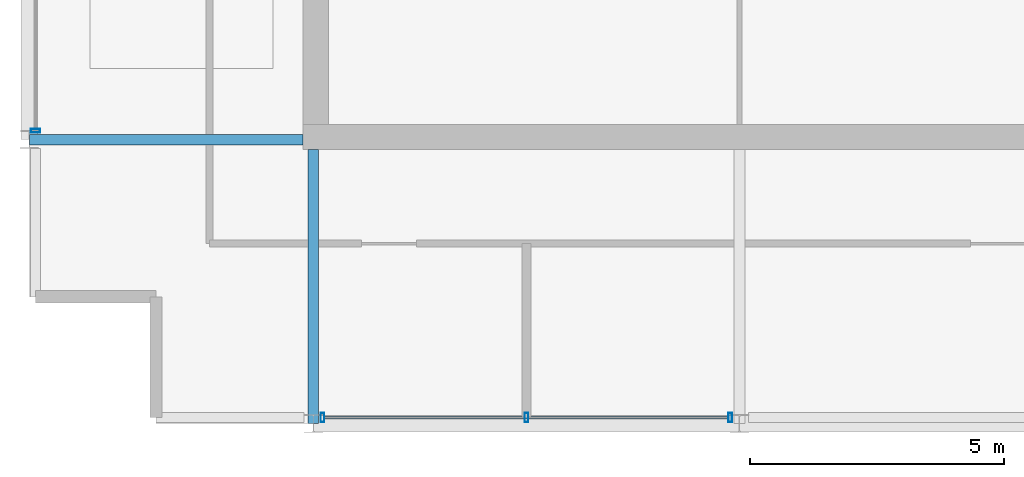
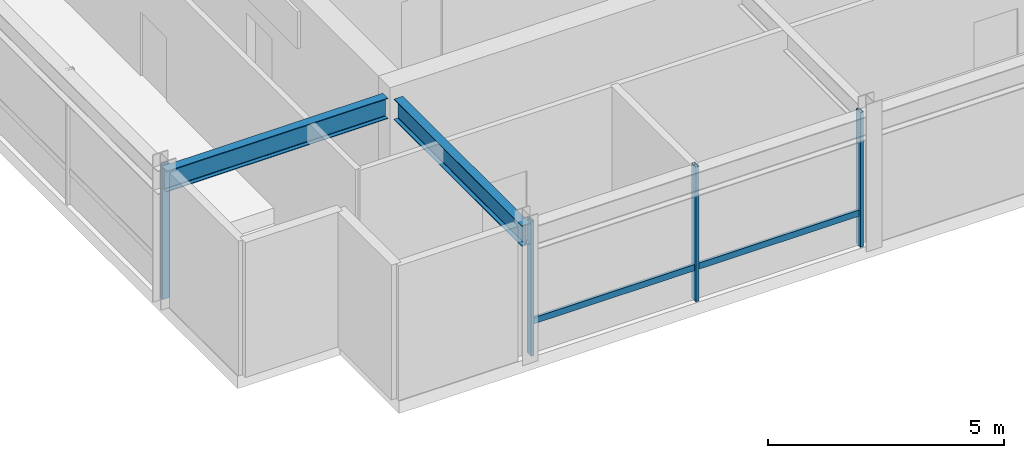
# One storey, part 2 of 12: 5 members, 2 beams, 2 elements without a shape of their own.
"""IFC4 building model written with IfcOpenShell, lengths in metres."""

from ifc_helpers import new_model, si_unit, direction, frame, origin, origin_2d, place, context, subcontext, project, spatial, hollow_rectangle, i_section, extrude, material, layer, layer_set, material_profile, profile_set, type_object, element, aggregate, save


model = new_model("IFC4")

# Units and contexts
model_context = context("Model", 3, precision=1e-05, world=origin(), true_north=direction((0.0, 1.0)))
body_context = subcontext(model_context, "Body", "Model", "MODEL_VIEW")
ifc_project = project(units=[si_unit("LENGTHUNIT", "METRE"), si_unit("AREAUNIT", "SQUARE_METRE"), si_unit("VOLUMEUNIT", "CUBIC_METRE"), si_unit("PLANEANGLEUNIT", "RADIAN"), si_unit("MASSUNIT", "GRAM", prefix="KILO")], contexts=[model_context])

# Site, building, storey
site_placement = place(None, origin())
site = spatial("IfcSite", under=ifc_project, at=site_placement, CompositionType="ELEMENT")
building_placement = place(site_placement, origin())
building = spatial("IfcBuilding", under=site, at=building_placement, Name="Drelvath Grand Hotel", CompositionType="ELEMENT")
storey_placement = place(building_placement, frame((0.0, 0.0, 319.39990234375)))
storey = spatial("IfcBuildingStorey", under=building, at=storey_placement, Name="L83", CompositionType="ELEMENT", Elevation=319.39990234375)

# Curtain wall, member
ifc_material_1 = material(Name="Pale-Metal Anodised Aluminium Crown Frame", Category="aluminium")
ifc_layer = layer(ifc_material_1, 0.199951171875)
ifc_layer_set = layer_set([ifc_layer], Name="Pale-Metal Anodised Aluminium Crown Frame")
curtain_wall_type = type_object("IfcCurtainWallType", Name="Stick Curtain Wall CW-06 Pale-Metal Crown Clerestory", PredefinedType="NOTDEFINED", material=ifc_layer_set)
curtain_wall_1_placement = place(storey_placement, origin())
curtain_wall_1 = element("IfcCurtainWall", 1, at=curtain_wall_1_placement, inside=storey, type_object=curtain_wall_type, Name="L83 CW-06 Curtain Wall CW06-L83-S", PredefinedType="NOTDEFINED")
ifc_material_profile_1 = material_profile(ifc_material_1, hollow_rectangle(XDim=0.06494140625, YDim=0.159912109375, WallThickness=0.00390625, at=origin_2d()), Name="HSS160X65X4")
ifc_profile_set_1 = profile_set([ifc_material_profile_1], Name="Pale-Metal Anodised Aluminium Crown Frame")
member_type_1 = type_object("IfcMemberType", Name="Curtain Wall Horizontal Transom CW-06 HSS160X65X4", PredefinedType="USERDEFINED", material=ifc_profile_set_1)
member_1_placement = place(storey_placement, frame((-0.220458984375, 13.1201171875, 0.85009765625), z_axis=(-1.0, 0.0, 0.0), x_axis=(0.0, -1.0, 0.0)))
member_1 = element("IfcMember", 2, at=member_1_placement, type_object=member_type_1, Name="CW06-L83-S Sill Transom", ObjectType="TRANSOM", PredefinedType="USERDEFINED", context=body_context, shape_type="SweptSolid", body=[
    extrude(hollow_rectangle(XDim=0.06494140625, YDim=0.159912109375, WallThickness=0.00390625, at=origin_2d()), origin(), (0.0, 0.0, 1.0), 7.959228515625),
])

curtain_wall_2_placement = place(storey_placement, origin())
curtain_wall_2 = element("IfcCurtainWall", 3, at=curtain_wall_2_placement, inside=storey, type_object=curtain_wall_type, Name="L83 CW-06 Curtain Wall CW06-L83-W", PredefinedType="NOTDEFINED")
ifc_material_profile_2 = material_profile(ifc_material_1, hollow_rectangle(XDim=0.074951171875, YDim=0.179931640625, WallThickness=0.0048828125, at=origin_2d()), Name="HSS180X75X5")
ifc_profile_set_2 = profile_set([ifc_material_profile_2], Name="Pale-Metal Anodised Aluminium Crown Frame")
member_type_2 = type_object("IfcMemberType", Name="Curtain Wall Vertical Mullion CW-06 HSS180X75X5", PredefinedType="MULLION", material=ifc_profile_set_2)
member_2_placement = place(storey_placement, frame((-13.8798828125, 18.77392578125, 0.0), z_axis=(0.0, 0.0, 1.0), x_axis=(0.0, 1.0, 0.0)))
member_2 = element("IfcMember", 4, at=member_2_placement, type_object=member_type_2, Name="CW06-L83-W Mullion 1", PredefinedType="MULLION", context=body_context, shape_type="SweptSolid", body=[
    extrude(hollow_rectangle(XDim=0.074951171875, YDim=0.179931640625, WallThickness=0.0048828125, at=origin_2d()), origin(), (0.0, 0.0, 1.0), 3.47998046875),
])
aggregate(curtain_wall_2, [member_2])

# Member
member_3_placement = place(storey_placement, frame((-0.180419921875, 13.1201171875, 0.0), z_axis=(0.0, 0.0, 1.0), x_axis=(1.0, 0.0, 0.0)))
member_3 = element("IfcMember", 5, at=member_3_placement, type_object=member_type_2, Name="CW06-L83-S Mullion 1", PredefinedType="MULLION", context=body_context, shape_type="SweptSolid", body=[
    extrude(hollow_rectangle(XDim=0.074951171875, YDim=0.179931640625, WallThickness=0.0048828125, at=origin_2d()), origin(), (0.0, 0.0, 1.0), 3.47998046875),
])

member_4_placement = place(storey_placement, frame((-4.199951171875, 13.1201171875, 0.0), z_axis=(0.0, 0.0, 1.0), x_axis=(1.0, 0.0, 0.0)))
member_4 = element("IfcMember", 6, at=member_4_placement, type_object=member_type_2, Name="CW06-L83-S Mullion 2", PredefinedType="MULLION", context=body_context, shape_type="SweptSolid", body=[
    extrude(hollow_rectangle(XDim=0.074951171875, YDim=0.179931640625, WallThickness=0.0048828125, at=origin_2d()), origin(), (0.0, 0.0, 1.0), 3.47998046875),
])

member_5_placement = place(storey_placement, frame((-8.219482421875, 13.1201171875, 0.0), z_axis=(0.0, 0.0, 1.0), x_axis=(1.0, 0.0, 0.0)))
member_5 = element("IfcMember", 7, at=member_5_placement, type_object=member_type_2, Name="CW06-L83-S Mullion 3", PredefinedType="MULLION", context=body_context, shape_type="SweptSolid", body=[
    extrude(hollow_rectangle(XDim=0.074951171875, YDim=0.179931640625, WallThickness=0.0048828125, at=origin_2d()), origin(), (0.0, 0.0, 1.0), 3.47998046875),
])

aggregate(curtain_wall_1, [member_3, member_4, member_5, member_1])

# Beams
ifc_material_2 = material(Name="Steel ASTM A992 Gr 50", Category="steel")
ifc_material_profile_3 = material_profile(ifc_material_2, i_section(OverallWidth=0.210205078125, OverallDepth=0.53662109375, WebThickness=0.010986328125, FlangeThickness=0.017333984375, FilletRadius=0.01806640625, at=origin_2d()), Name="W21X68")
ifc_profile_set_3 = profile_set([ifc_material_profile_3], Name="Steel ASTM A992 Gr 50")
beam_type = type_object("IfcBeamType", Name="Primary Floor Girder W21X68", PredefinedType="BEAM", material=ifc_profile_set_3)
for number, where, z_axis, x_axis, name in (
    (8, (-14.0, 18.60009765625, 3.211669921875), (1.0, 0.0, 0.0), (0.0, 1.0, 0.0), "L83 Crown Drum Tie West D"),
    (9, (-8.39990234375, 13.0, 3.211669921875), (0.0, 1.0, 0.0), (-1.0, 0.0, 0.0), "L83 Crown Drum Tie South 4"),
):
    element("IfcBeam", number, at=place(storey_placement, frame(where, z_axis=z_axis, x_axis=x_axis)), inside=storey, type_object=beam_type, Name=name, PredefinedType="BEAM", context=body_context, shape_type="SweptSolid", body=[
        extrude(i_section(OverallWidth=0.210205078125, OverallDepth=0.53662109375, WebThickness=0.010986328125, FlangeThickness=0.017333984375, FilletRadius=0.01806640625, at=origin_2d()), origin(), (0.0, 0.0, 1.0), 5.39990234375),
    ])

save(model, "model.ifc")
